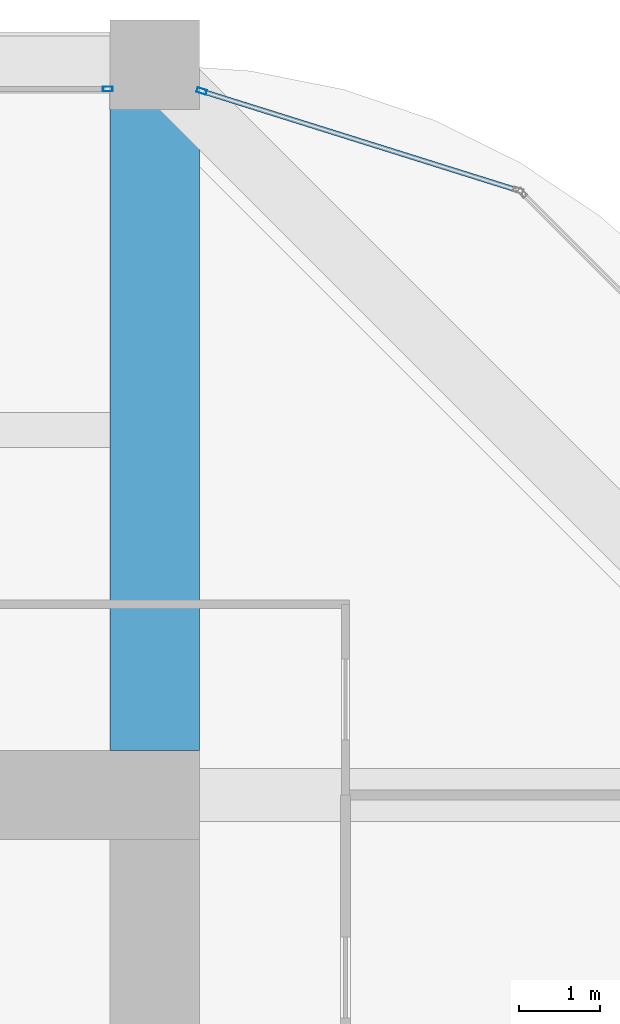
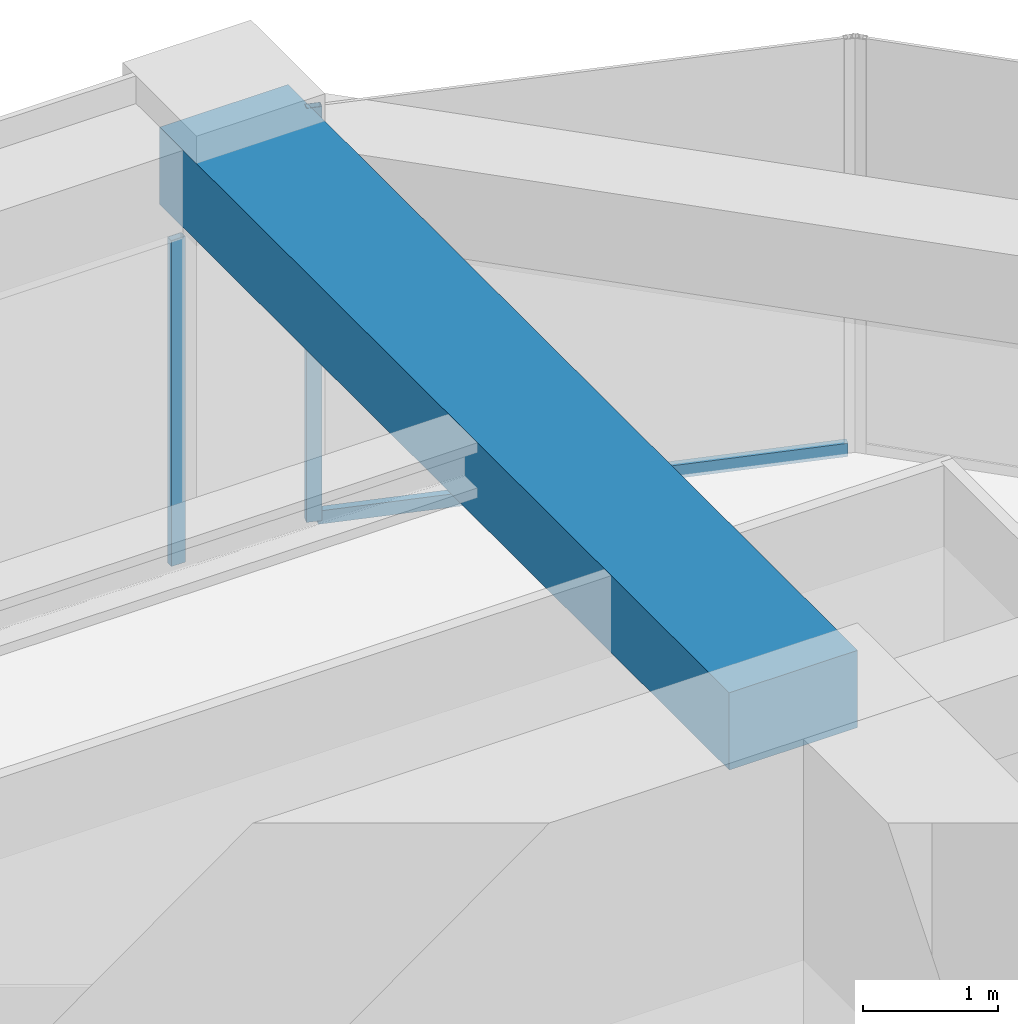
# One storey, part 37 of 44: 3 members, 1 beam, 2 elements without a shape of their own.
"""IFC4 building model written with IfcOpenShell, lengths in metres."""

from ifc_helpers import new_model, si_unit, direction, frame, origin, origin_2d, place, context, subcontext, project, spatial, rectangle, hollow_rectangle, extrude, material, material_profile, profile_set, type_object, element, aggregate, save


model = new_model("IFC4")

# Units and contexts
model_context = context("Model", 3, precision=1e-05, world=origin(), true_north=direction((0.0, 1.0)))
body_context = subcontext(model_context, "Body", "Model", "MODEL_VIEW")
ifc_project = project(units=[si_unit("LENGTHUNIT", "METRE"), si_unit("AREAUNIT", "SQUARE_METRE"), si_unit("VOLUMEUNIT", "CUBIC_METRE"), si_unit("PLANEANGLEUNIT", "RADIAN"), si_unit("MASSUNIT", "GRAM", prefix="KILO")], contexts=[model_context])

# Site, building, storey
site_placement = place(None, origin())
site = spatial("IfcSite", under=ifc_project, at=site_placement, CompositionType="ELEMENT")
building_placement = place(site_placement, origin())
building = spatial("IfcBuilding", under=site, at=building_placement, Name="Zorevar Civic Tower", CompositionType="ELEMENT")
storey_placement = place(building_placement, frame((0.0, 0.0, 295.39990234375)))
storey = spatial("IfcBuildingStorey", under=building, at=storey_placement, Name="L72", CompositionType="ELEMENT", Elevation=295.39990234375)

# Beam
ifc_material_1 = material(Name="Concrete C50/60", Category="concrete")
ifc_material_profile_1 = material_profile(ifc_material_1, rectangle(XDim=1.10009765625, YDim=0.699951171875, at=origin_2d()), Name="RC 1100x700")
ifc_profile_set_1 = profile_set([ifc_material_profile_1], Name="Concrete C50/60")
beam_type = type_object("IfcBeamType", Name="Beam RC 1100x700", PredefinedType="BEAM", material=ifc_profile_set_1)
beam_placement = place(storey_placement, frame((45.0, 36.550048828125, 3.400146484375), z_axis=(0.0, 1.0, 0.0), x_axis=(-1.0, 0.0, 0.0)))
element("IfcBeam", 1, at=beam_placement, inside=storey, type_object=beam_type, Name="Girder L73", PredefinedType="BEAM", context=body_context, shape_type="SweptSolid", body=[
    extrude(rectangle(XDim=1.10009765625, YDim=0.699951171875, at=origin_2d()), origin(), (0.0, 0.0, 1.0), 8.449951171875),
])

# Curtain wall, member
ifc_material_2 = material(Name="Dark grey solar-control glass in black aluminium frame", Category="aluminium")
curtain_wall_type = type_object("IfcCurtainWallType", Name="Curtain wall CW5 top zone", PredefinedType="NOTDEFINED", material=ifc_material_2)
curtain_wall_1_placement = place(storey_placement, origin())
curtain_wall_1 = element("IfcCurtainWall", 2, at=curtain_wall_1_placement, inside=storey, type_object=curtain_wall_type, Name="CW5 L72", PredefinedType="NOTDEFINED")
ifc_material_3 = material(Name="Aluminium, black anodised", Category="aluminium")
ifc_material_profile_2 = material_profile(ifc_material_3, hollow_rectangle(XDim=0.06005859375, YDim=0.1201171875, WallThickness=0.0029296875, at=origin_2d()), Name="AL 120x60x3")
ifc_profile_set_2 = profile_set([ifc_material_profile_2], Name="Aluminium, black anodised")
member_type_1 = type_object("IfcMemberType", Name="CW5 mullion AL 120x60x3", PredefinedType="MULLION", material=ifc_profile_set_2)
member_1_placement = place(storey_placement, frame((44.419921875, 44.699951171875, 0.0), z_axis=(0.0, 0.0, 1.0), x_axis=(0.0, 1.0, 0.0)))
member_1 = element("IfcMember", 3, at=member_1_placement, type_object=member_type_1, Name="CW5 mullion 3", PredefinedType="MULLION", context=body_context, shape_type="SweptSolid", body=[
    extrude(hollow_rectangle(XDim=0.06005859375, YDim=0.1201171875, WallThickness=0.0029296875, at=origin_2d()), origin(), (0.0, 0.0, 1.0), 2.9501953125),
])
aggregate(curtain_wall_1, [member_1])

# Curtain wall, members
curtain_wall_2_placement = place(storey_placement, origin())
curtain_wall_2 = element("IfcCurtainWall", 4, at=curtain_wall_2_placement, inside=storey, type_object=curtain_wall_type, Name="CW5 L72", PredefinedType="NOTDEFINED")
member_2_placement = place(storey_placement, frame((45.57861328125, 44.673583984375, 0.0), z_axis=(0.0, 0.0, 1.0), x_axis=(-0.299317920238, -0.954153437674, 0.0)))
member_2 = element("IfcMember", 5, at=member_2_placement, type_object=member_type_1, Name="CW5 mullion 2", PredefinedType="MULLION", context=body_context, shape_type="SweptSolid", body=[
    extrude(hollow_rectangle(XDim=0.06005859375, YDim=0.1201171875, WallThickness=0.0029296875, at=origin_2d()), origin(), (0.0, 0.0, 1.0), 3.75),
])
ifc_material_4 = material(Name="Aluminium, black anodised", Category="aluminium")
ifc_material_profile_3 = material_profile(ifc_material_4, hollow_rectangle(XDim=0.06005859375, YDim=0.1201171875, WallThickness=0.0029296875, at=origin_2d()), Name="AL 120x60x3")
ifc_profile_set_3 = profile_set([ifc_material_profile_3], Name="Aluminium, black anodised")
member_type_2 = type_object("IfcMemberType", Name="CW5 transom AL 120x60x3", PredefinedType="USERDEFINED", material=ifc_profile_set_3)
member_3_placement = place(storey_placement, frame((49.45068359375, 43.458984375, 0.030029296875), z_axis=(-0.954163457351, 0.299285978047, 0.0), x_axis=(-0.299285978047, -0.954163457351, 0.0)))
member_3 = element("IfcMember", 6, at=member_3_placement, type_object=member_type_2, Name="CW5 sill transom", ObjectType="TRANSOM", PredefinedType="USERDEFINED", context=body_context, shape_type="SweptSolid", body=[
    extrude(hollow_rectangle(XDim=0.06005859375, YDim=0.1201171875, WallThickness=0.0029296875, at=origin_2d()), origin(), (0.0, 0.0, 1.0), 4.028076171875),
])
aggregate(curtain_wall_2, [member_2, member_3])

save(model, "model.ifc")
